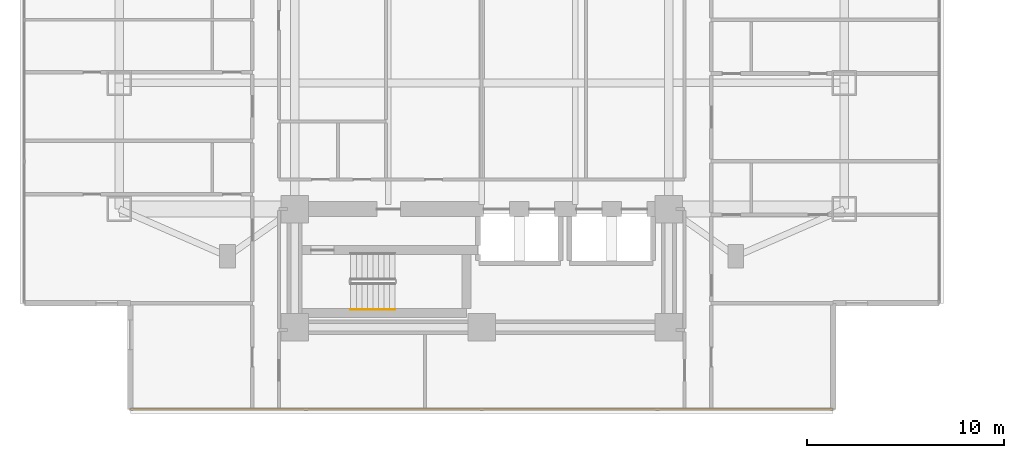
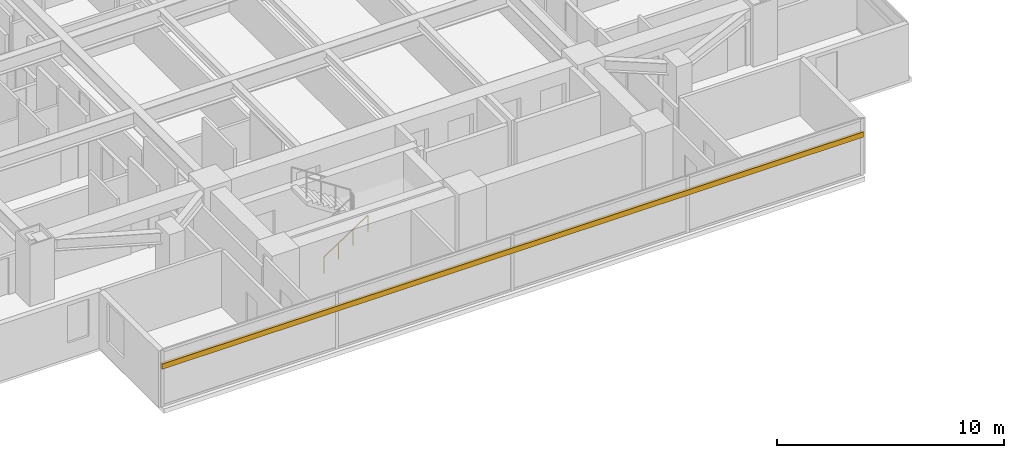
# One storey, part 22 of 26: 1 railing, 1 shading device.
"""IFC4 building model written with IfcOpenShell, lengths in metres."""

from ifc_helpers import new_model, si_unit, direction, frame, origin, origin_2d, place, context, subcontext, project, spatial, rectangle, circle, extrude, material, material_profile, profile_set, type_object, element, save


model = new_model("IFC4")

# Units and contexts
model_context = context("Model", 3, precision=1e-05, world=origin(), true_north=direction((0.0, 1.0)))
body_context = subcontext(model_context, "Body", "Model", "MODEL_VIEW")
ifc_project = project(units=[si_unit("LENGTHUNIT", "METRE"), si_unit("AREAUNIT", "SQUARE_METRE"), si_unit("VOLUMEUNIT", "CUBIC_METRE"), si_unit("PLANEANGLEUNIT", "RADIAN"), si_unit("MASSUNIT", "GRAM", prefix="KILO")], contexts=[model_context])

# Site, building, storey
site_placement = place(None, origin())
site = spatial("IfcSite", under=ifc_project, at=site_placement, CompositionType="ELEMENT")
building_placement = place(site_placement, origin())
building = spatial("IfcBuilding", under=site, at=building_placement, Name="Mirazonda Arch Towers", CompositionType="ELEMENT")
storey_placement = place(building_placement, frame((0.0, 0.0, 48.800048828125)))
storey = spatial("IfcBuildingStorey", under=building, at=storey_placement, Name="L13", CompositionType="ELEMENT", Elevation=48.800048828125)

# Shading device
ifc_material_1 = material(Name="Kiln-Fired Architectural Terracotta", Category="masonry")
ifc_material_profile = material_profile(ifc_material_1, rectangle(XDim=0.139892578125, YDim=0.280029296875, at=origin_2d()), Name="TERRA-BAG-140x280")
ifc_profile_set = profile_set([ifc_material_profile], Name="Kiln-Fired Architectural Terracotta")
shading_device_type = type_object("IfcShadingDeviceType", Name="BAGUETTE-3", PredefinedType="USERDEFINED", material=ifc_profile_set)
shading_device_placement = place(storey_placement, frame((38.340087890625, 8.236083984375, 2.188720703125), z_axis=(-1.0, 0.0, 0.0), x_axis=(0.0, -1.0, 0.0)))
element("IfcShadingDevice", 1, at=shading_device_placement, inside=storey, type_object=shading_device_type, Name="L13 Glazed Terracotta Sun-Screen Baguette CW-L13-T1-S", ObjectType="BAGUETTE", PredefinedType="USERDEFINED", context=body_context, shape_type="SweptSolid", body=[
    extrude(rectangle(XDim=0.139892578125, YDim=0.280029296875, at=origin_2d()), origin(), (0.0, 0.0, 1.0), 35.68017578125),
])

# Railing
ifc_material_2 = material(Name="Architectural Brushed Steel S355", Category="steel")
railing_type = type_object("IfcRailingType", Name="HANDRAIL-915", PredefinedType="HANDRAIL", material=ifc_material_2)
railing_placement = place(storey_placement, frame((13.85009765625, 13.300048828125, 0.183349609375)))
element("IfcRailing", 2, at=railing_placement, inside=storey, type_object=railing_type, Name="L13 ST-T1S stair handrail 1", PredefinedType="HANDRAIL", context=body_context, shape_type="SweptSolid", body=[
    extrude(circle(Radius=0.02392578125, at=origin_2d()), frame((0.0, 0.0, 0.8759765625), z_axis=(0.836636935527, 0.0, 0.547757827979), x_axis=(0.0, 1.0, 0.0)), (0.0, 0.0, 1.0), 2.677490234375),
    extrude(circle(Radius=0.02099609375, at=origin_2d()), origin(), (0.0, 0.0, 1.0), 0.851806640625),
    extrude(circle(Radius=0.02099609375, at=origin_2d()), frame((0.74658203125, 0.0, 0.48876953125)), (0.0, 0.0, 1.0), 0.851806640625),
    extrude(circle(Radius=0.02099609375, at=origin_2d()), frame((1.493408203125, 0.0, 0.977783203125)), (0.0, 0.0, 1.0), 0.851806640625),
    extrude(circle(Radius=0.02099609375, at=origin_2d()), frame((2.239990234375, 0.0, 1.466552734375)), (0.0, 0.0, 1.0), 0.851806640625),
])

save(model, "model.ifc")
